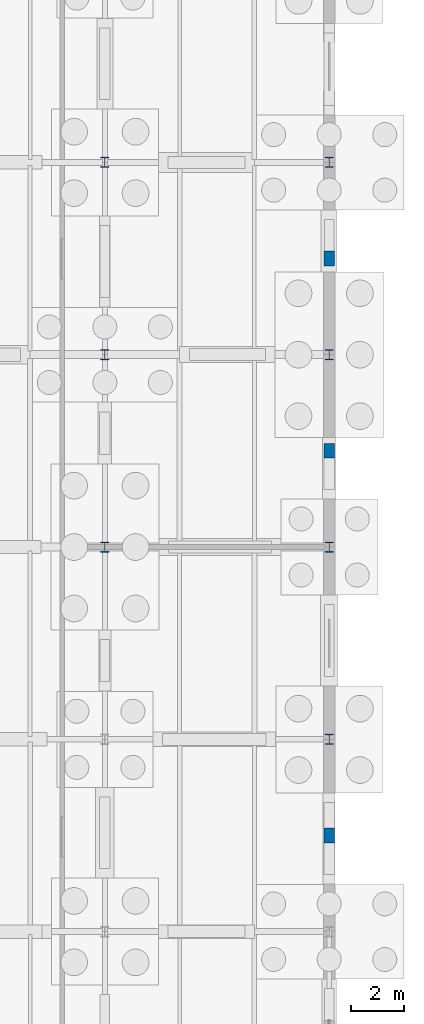
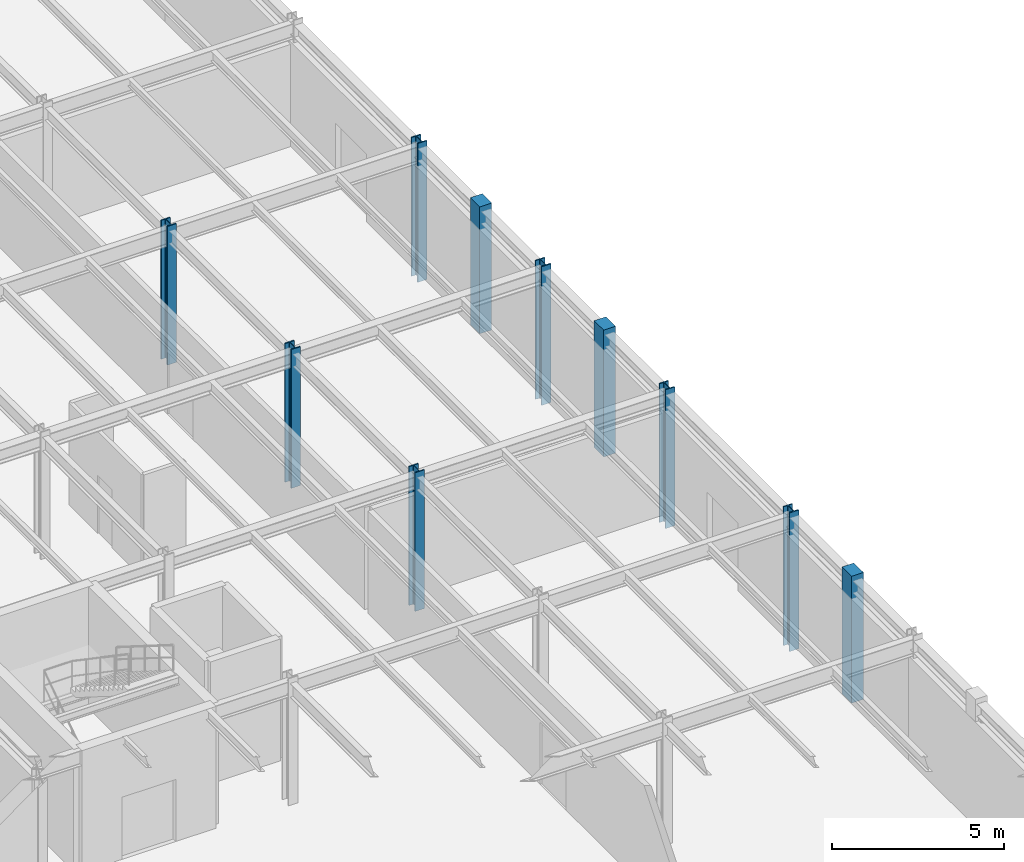
# One storey, part 29 of 93: 10 columns.
"""IFC4 building model written with IfcOpenShell, lengths in metres."""

import ifcopenshell
import ifcopenshell.guid

model = None  # the IFC model being written
_history = None  # IfcOwnerHistory: only IFC2X3 demands one
_inside = {}  # id of a spatial element -> (the spatial element, [elements in it])
_under = {}  # id of a project, library or spatial element -> (it, [spatial elements below it])
_declared = {}  # id of a project -> (the project, [libraries it declares])
_typed = {}  # id of a type object -> (the type object, [elements of that type])
_made_of = {}  # id of a material, layer set ... -> (it, [elements and type objects made of it])


def new_model(schema):
    """Start an empty IFC model of exactly this schema.

    Asked for "IFC4X3", IfcOpenShell would pick the latest addendum, in which some entities
    have other attributes; the version numbers below select the first issue.
    IFC2X3 requires an IfcOwnerHistory on every rooted entity: one is made here for all.
    """
    global model, _history
    if schema == "IFC4X3":
        model = ifcopenshell.file(schema_version=(4, 3, 0, 0))
    else:
        model = ifcopenshell.file(schema=schema)
    _inside.clear()
    _under.clear()
    _declared.clear()
    _typed.clear()
    _made_of.clear()
    _history = None
    if model.schema == "IFC2X3":
        org = make("IfcOrganization", Name="unknown")
        user = make(
            "IfcPersonAndOrganization",
            ThePerson=make("IfcPerson", FamilyName="unknown"),
            TheOrganization=org,
        )
        app = make(
            "IfcApplication",
            ApplicationDeveloper=org,
            Version="unknown",
            ApplicationFullName="unknown",
            ApplicationIdentifier="unknown",
        )
        _history = make(
            "IfcOwnerHistory",
            OwningUser=user,
            OwningApplication=app,
            ChangeAction="ADDED",
            CreationDate=0,
        )
    return model


def make(cls, **values):
    """One entity of the class cls with the attributes given. An attribute that is None is left unset."""
    return model.create_entity(
        cls, **{name: value for name, value in values.items() if value is not None}
    )


def rooted(cls, **values):
    """An entity with a GlobalId (a new one), such as an element, a storey or a relation."""
    return make(cls, GlobalId=ifcopenshell.guid.new(), OwnerHistory=_history, **values)


def si_unit(unit_type, name, prefix=None):
    """IfcSIUnit, for example si_unit("LENGTHUNIT", "METRE", prefix="MILLI")."""
    return make("IfcSIUnit", UnitType=unit_type, Prefix=prefix, Name=name)


def derived_unit(unit_type, elements):
    """IfcDerivedUnit: a product of units, each with its exponent."""
    return make(
        "IfcDerivedUnit",
        Elements=[
            make("IfcDerivedUnitElement", Unit=unit, Exponent=power)
            for unit, power in elements
        ],
        UnitType=unit_type,
    )


def assignment(units):
    """IfcUnitAssignment: the units of a project."""
    return None if units is None else make("IfcUnitAssignment", Units=units)


def point(xyz):
    """IfcCartesianPoint."""
    return None if xyz is None else make("IfcCartesianPoint", Coordinates=xyz)


def direction(xyz):
    """IfcDirection."""
    return None if xyz is None else make("IfcDirection", DirectionRatios=xyz)


def frame(location, z_axis=None, x_axis=None):
    """IfcAxis2Placement3D, a coordinate frame: its origin and axes. An axis left out is left unset."""
    return make(
        "IfcAxis2Placement3D",
        Location=point(location),
        Axis=direction(z_axis),
        RefDirection=direction(x_axis),
    )


def frame_2d(location, x_axis=None):
    """IfcAxis2Placement2D, a coordinate frame in the plane: its origin and x axis."""
    return make(
        "IfcAxis2Placement2D", Location=point(location), RefDirection=direction(x_axis)
    )


def origin():
    """The frame at (0, 0, 0) with its axes left unset."""
    return frame((0.0, 0.0, 0.0))


def origin_2d():
    """The frame at (0, 0) in the plane with its x axis left unset."""
    return frame_2d((0.0, 0.0))


def place(relative_to, where):
    """IfcLocalPlacement: puts the frame where relative to a parent placement (None: the world)."""
    return make(
        "IfcLocalPlacement", PlacementRelTo=relative_to, RelativePlacement=where
    )


def context(
    kind, dimensions, precision=None, world=None, true_north=None, identifier=None
):
    """IfcGeometricRepresentationContext, for example the 3D "Model" context."""
    return make(
        "IfcGeometricRepresentationContext",
        ContextIdentifier=identifier,
        ContextType=kind,
        CoordinateSpaceDimension=dimensions,
        Precision=precision,
        WorldCoordinateSystem=world,
        TrueNorth=true_north,
    )


def subcontext(parent, identifier, kind, view, scale=None):
    """IfcGeometricRepresentationSubContext, for example "Body" below "Model"."""
    return make(
        "IfcGeometricRepresentationSubContext",
        ContextIdentifier=identifier,
        ContextType=kind,
        ParentContext=parent,
        TargetScale=scale,
        TargetView=view,
    )


def project(units=None, contexts=None):
    """IfcProject with its units and contexts."""
    return rooted(
        "IfcProject",
        Name="project",
        RepresentationContexts=contexts,
        UnitsInContext=assignment(units),
    )


def spatial(cls, under=None, at=None, **own):
    """A site, building, storey or space (cls), placed at a placement, below another one or the project."""
    s = rooted(cls, ObjectPlacement=at, **own)
    if under is not None:
        _under.setdefault(under.id(), (under, []))[1].append(s)
    return s


def profile(cls, at=None, kind="AREA", **sizes):
    """A parametric profile (cls). Its sizes go by their IFC names, for example OverallWidth=200.0."""
    return make(cls, ProfileType=kind, Position=at, **sizes)


def rectangle(**sizes):
    """IfcRectangleProfileDef."""
    return profile("IfcRectangleProfileDef", **sizes)


def i_section(**sizes):
    """IfcIShapeProfileDef."""
    return profile("IfcIShapeProfileDef", **sizes)


def extrude(swept, where, along, depth):
    """IfcExtrudedAreaSolid: the profile swept, set in the frame where, extruded along a direction by depth."""
    return make(
        "IfcExtrudedAreaSolid",
        SweptArea=swept,
        Position=where,
        ExtrudedDirection=direction(along),
        Depth=depth,
    )


def shape(context_of_items, identifier, shape_type, items):
    """IfcShapeRepresentation: the items that make up one representation, for example the "Body"."""
    return make(
        "IfcShapeRepresentation",
        ContextOfItems=context_of_items,
        RepresentationIdentifier=identifier,
        RepresentationType=shape_type,
        Items=items,
    )


def material(Name=None, Category=None):
    """IfcMaterial."""
    return make("IfcMaterial", Name=Name, Category=Category)


def material_profile(
    of_material, cross_section, Name=None, Category=None, Priority=None
):
    """IfcMaterialProfile: a cross section and its material."""
    return make(
        "IfcMaterialProfile",
        Name=Name,
        Material=of_material,
        Profile=cross_section,
        Priority=Priority,
        Category=Category,
    )


def profile_set(profiles, Name=None, composite=None):
    """IfcMaterialProfileSet."""
    return make(
        "IfcMaterialProfileSet",
        Name=Name,
        MaterialProfiles=profiles,
        CompositeProfile=composite,
    )


def made_of(thing, what):
    """Note that an element or type object is made of a material, layer set ...; save() writes the relation."""
    if what is not None:
        _made_of.setdefault(what.id(), (what, []))[1].append(thing)
    return thing


def type_object(cls, material=None, **own):
    """A type object (cls), such as IfcWallType, which elements share."""
    return made_of(rooted(cls, **own), material)


def element(
    cls,
    number,
    at=None,
    inside=None,
    cuts=None,
    type_object=None,
    material=None,
    context=None,
    identifier="Body",
    shape_type=None,
    held_by="IfcProductDefinitionShape",
    body=None,
    shapes=None,
    **own,
):
    """One element of the class cls, such as IfcWall. Its Tag is "e" and its number.

    at: its placement. inside: the storey or other place that contains it. cuts: it is an
    opening in that element (IfcRelVoidsElement). A single representation is given by context,
    identifier, shape_type and body (its items); several are given by shapes. held_by: the class
    of the entity that holds the representations. save() writes the other relations.
    """
    e = rooted(cls, Tag="e%d" % number, ObjectPlacement=at, **own)
    if body is not None:
        shapes = [shape(context, identifier, shape_type, body)]
    if shapes is not None:
        e.Representation = make(held_by, Representations=shapes)
    if inside is not None:
        _inside.setdefault(inside.id(), (inside, []))[1].append(e)
    if cuts is not None:
        rooted(
            "IfcRelVoidsElement", RelatingBuildingElement=cuts, RelatedOpeningElement=e
        )
    if type_object is not None:
        _typed.setdefault(type_object.id(), (type_object, []))[1].append(e)
    return made_of(e, material)


def aggregate(whole, parts):
    """IfcRelAggregates: a whole, such as a stair, and the parts it consists of."""
    return rooted("IfcRelAggregates", RelatingObject=whole, RelatedObjects=parts)


def save(model, path):
    """Write the relations noted so far, then the file.

    IfcRelAggregates (storeys below a building ...), IfcRelContainedInSpatialStructure (elements
    in a storey), IfcRelDefinesByType, IfcRelAssociatesMaterial and IfcRelDeclares: one each for
    every whole, place, type object, material and project.
    """
    for whole, parts in _under.values():
        aggregate(whole, parts)
    for where, things in _inside.values():
        rooted(
            "IfcRelContainedInSpatialStructure",
            RelatedElements=things,
            RelatingStructure=where,
        )
    for kind, things in _typed.values():
        rooted("IfcRelDefinesByType", RelatedObjects=things, RelatingType=kind)
    for what, things in _made_of.values():
        rooted("IfcRelAssociatesMaterial", RelatedObjects=things, RelatingMaterial=what)
    for by, libraries in _declared.values():
        rooted("IfcRelDeclares", RelatingContext=by, RelatedDefinitions=libraries)
    model.write(path)


model = new_model("IFC4")

# Units and contexts
model_context = context("Model", 3, precision=1e-05, world=origin(), true_north=direction((0.0, 1.0)))
body_context = subcontext(model_context, "Body", "Model", "MODEL_VIEW")
ifc_project = project(units=[si_unit("LENGTHUNIT", "METRE"), si_unit("AREAUNIT", "SQUARE_METRE"), si_unit("VOLUMEUNIT", "CUBIC_METRE"), si_unit("PLANEANGLEUNIT", "RADIAN"), si_unit("MASSUNIT", "GRAM", prefix="KILO"), derived_unit("THERMALTRANSMITTANCEUNIT", [(si_unit("MASSUNIT", "GRAM", prefix="KILO"), 1), (si_unit("TIMEUNIT", "SECOND"), -3), (si_unit("THERMODYNAMICTEMPERATUREUNIT", "KELVIN"), -1)])], contexts=[model_context])

# Site, building, storey
site_placement = place(None, origin())
site = spatial("IfcSite", under=ifc_project, at=site_placement, CompositionType="ELEMENT")
building_placement = place(site_placement, origin())
building = spatial("IfcBuilding", under=site, at=building_placement, Name="Kharveza Railside Sports Centre", CompositionType="ELEMENT")
storey_placement = place(building_placement, origin())
storey = spatial("IfcBuildingStorey", under=building, at=storey_placement, Name="L00", CompositionType="ELEMENT", Elevation=0.0)

# Columns
ifc_material_1 = material(Name="Concrete C35/45", Category="concrete")
ifc_material_profile_1 = material_profile(ifc_material_1, rectangle(XDim=0.39990234375, YDim=0.550048828125, at=origin_2d()), Name="RC 400x550")
ifc_profile_set_1 = profile_set([ifc_material_profile_1], Name="Concrete C35/45")
column_type_1 = type_object("IfcColumnType", Name="COL-RC06", PredefinedType="PILASTER", material=ifc_profile_set_1)
for number, where, z_axis, x_axis, name in (
    (1, (168.0, 32.39990234375, 0.0), (0.0, 0.0, 1.0), (1.0, 0.0, 0.0), "COL-PIL-BRM-04"),
    (2, (168.0, 46.800048828125, 0.0), (0.0, 0.0, 1.0), (1.0, 0.0, 0.0), "COL-PIL-BRM-05"),
    (3, (168.0, 54.0, 0.0), (0.0, 0.0, 1.0), (1.0, 0.0, 0.0), "COL-PIL-BRM-06"),
):
    element("IfcColumn", number, at=place(storey_placement, frame(where, z_axis=z_axis, x_axis=x_axis)), inside=storey, type_object=column_type_1, Name=name, PredefinedType="PILASTER", context=body_context, shape_type="SweptSolid", body=[
        extrude(rectangle(XDim=0.39990234375, YDim=0.550048828125, at=origin_2d()), origin(), (0.0, 0.0, 1.0), 4.5),
    ])
ifc_material_2 = material(Name="Steel S355J2", Category="steel")
ifc_material_profile_2 = material_profile(ifc_material_2, i_section(OverallWidth=0.30810546875, OverallDepth=0.39501953125, WebThickness=0.02099609375, FlangeThickness=0.0400390625, FilletRadius=0.027099609375, at=origin_2d()), Name="HEM 360")
ifc_profile_set_2 = profile_set([ifc_material_profile_2], Name="Steel S355J2")
column_type_2 = type_object("IfcColumnType", Name="COL-S02", PredefinedType="COLUMN", material=ifc_profile_set_2)
for number, where, z_axis, x_axis, name in (
    (4, (159.60009765625, 43.199951171875, -0.419921875), (0.0, 0.0, 1.0), (1.0, 0.0, 0.0), "COL-G-C02-X1596-Y432-L00"),
    (5, (159.60009765625, 50.39990234375, -0.419921875), (0.0, 0.0, 1.0), (1.0, 0.0, 0.0), "COL-G-C02-X1596-Y504-L00"),
    (6, (159.60009765625, 57.60009765625, -0.419921875), (0.0, 0.0, 1.0), (1.0, 0.0, 0.0), "COL-G-C02-X1596-Y576-L00"),
    (7, (168.0, 36.0, -0.419921875), (0.0, 0.0, 1.0), (1.0, 0.0, 0.0), "COL-G-C02-X1680-Y360-L00"),
    (8, (168.0, 43.199951171875, -0.419921875), (0.0, 0.0, 1.0), (1.0, 0.0, 0.0), "COL-G-C02-X1680-Y432-L00"),
    (9, (168.0, 50.39990234375, -0.419921875), (0.0, 0.0, 1.0), (1.0, 0.0, 0.0), "COL-G-C02-X1680-Y504-L00"),
    (10, (168.0, 57.60009765625, -0.419921875), (0.0, 0.0, 1.0), (1.0, 0.0, 0.0), "COL-G-C02-X1680-Y576-L00"),
):
    element("IfcColumn", number, at=place(storey_placement, frame(where, z_axis=z_axis, x_axis=x_axis)), inside=storey, type_object=column_type_2, Name=name, PredefinedType="COLUMN", context=body_context, shape_type="SweptSolid", body=[
        extrude(i_section(OverallWidth=0.30810546875, OverallDepth=0.39501953125, WebThickness=0.02099609375, FlangeThickness=0.0400390625, FilletRadius=0.027099609375, at=origin_2d()), origin(), (0.0, 0.0, 1.0), 4.919921875),
    ])

save(model, "model.ifc")
